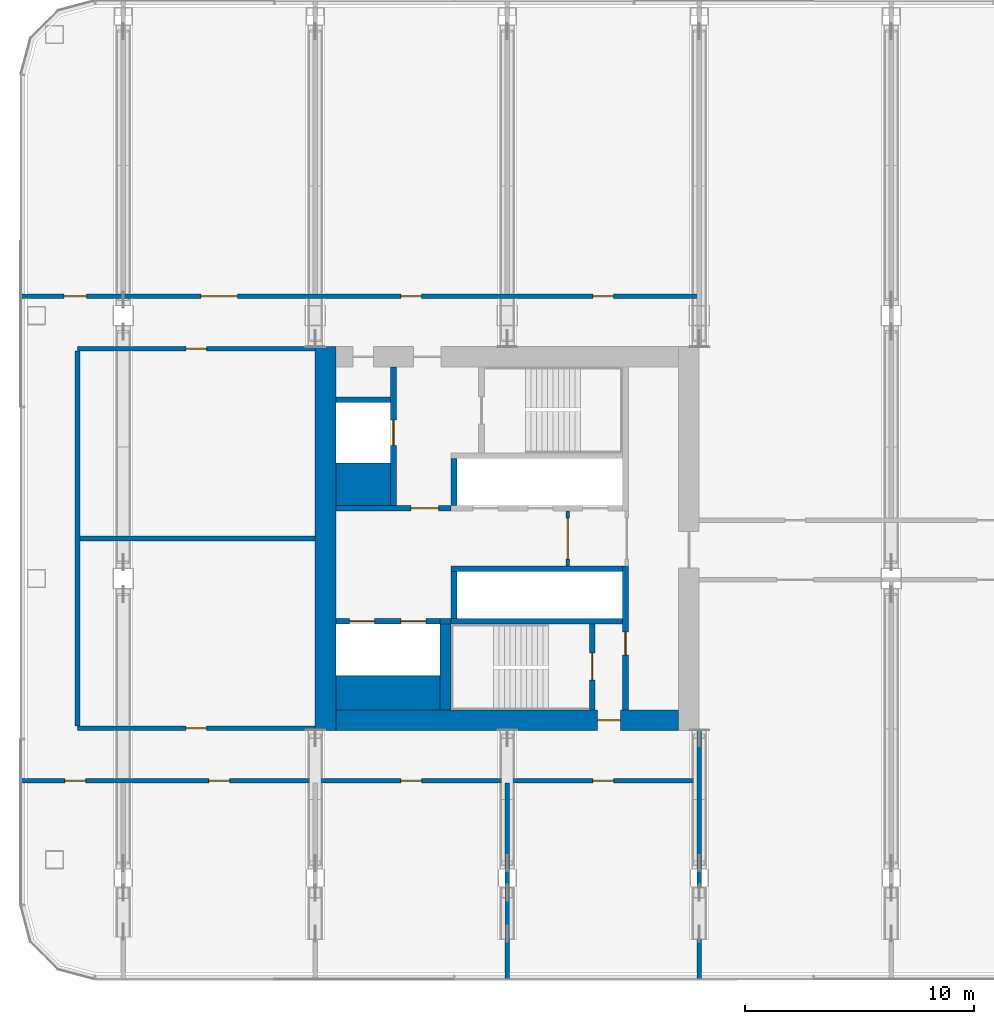
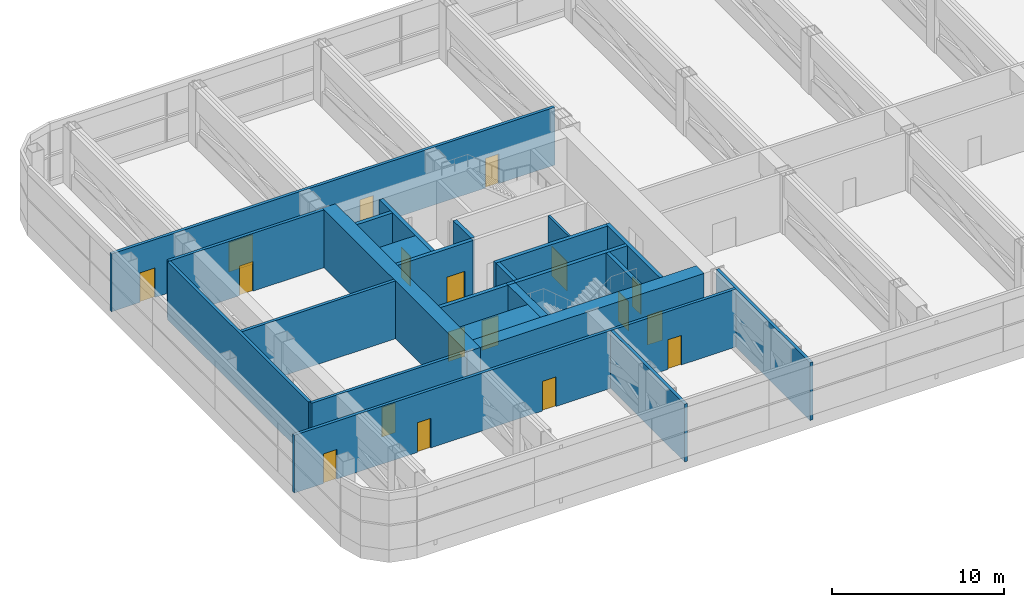
# One storey, part 18 of 31: 25 walls, 18 doors, 18 openings.
"""IFC4 building model written with IfcOpenShell, lengths in metres."""

from ifc_helpers import new_model, si_unit, direction, frame, frame_2d, origin, place, context, subcontext, project, spatial, rectangle, extrude, material, layer, layer_set, type_object, element, fill, save


model = new_model("IFC4")

# Units and contexts
model_context = context("Model", 3, precision=1e-05, world=origin(), true_north=direction((0.0, 1.0)))
body_context = subcontext(model_context, "Body", "Model", "MODEL_VIEW")
ifc_project = project(units=[si_unit("LENGTHUNIT", "METRE"), si_unit("AREAUNIT", "SQUARE_METRE"), si_unit("VOLUMEUNIT", "CUBIC_METRE"), si_unit("PLANEANGLEUNIT", "RADIAN"), si_unit("MASSUNIT", "GRAM", prefix="KILO")], contexts=[model_context])

# Site, building, storey
site_placement = place(None, origin())
site = spatial("IfcSite", under=ifc_project, at=site_placement, CompositionType="ELEMENT")
building_placement = place(site_placement, origin())
building = spatial("IfcBuilding", under=site, at=building_placement, Name="Hakoniwa Tower and Hamabe Station Hall", CompositionType="ELEMENT")
storey_placement = place(building_placement, frame((0.0, 0.0, 120.199951171875)))
storey = spatial("IfcBuildingStorey", under=building, at=storey_placement, Name="L34", CompositionType="ELEMENT", Elevation=120.199951171875)

# Wall, opening, door
ifc_material_1 = material(Name="Gypsum board partition")
ifc_layer_1 = layer(ifc_material_1, 0.14990234375)
ifc_layer_set_1 = layer_set([ifc_layer_1], Name="CORE PARTITION 150 EI 60")
wall_type_1 = type_object("IfcWallType", Name="CORE PARTITION 150 EI 60", PredefinedType="PARTITIONING", material=ifc_layer_set_1)
wall_1_placement = place(storey_placement, frame((-22.550048828125, -1.199951171875, 0.0), z_axis=(0.0, 0.0, 1.0), x_axis=(0.0, 1.0, 0.0)))
wall_1 = element("IfcWall", 1, at=wall_1_placement, inside=storey, type_object=wall_type_1, Name="Core partition PL1 west", PredefinedType="PARTITIONING", context=body_context, shape_type="SweptSolid", body=[
    extrude(rectangle(XDim=2.39990234375, YDim=0.14990234375, at=frame_2d((1.199951171875, 0.0))), origin(), (0.0, 0.0, 1.0), 4.10009765625),
])
opening_1_placement = place(wall_1_placement, frame((0.300048828125, 0.0, 0.0)))
opening_1 = element("IfcOpeningElement", 2, at=opening_1_placement, cuts=wall_1, Name="Opening CD-W-LP1-18", PredefinedType="OPENING", context=body_context, shape_type="SweptSolid", body=[
    extrude(rectangle(XDim=1.800048828125, YDim=2.10009765625, at=frame_2d((0.89990234375, 1.050048828125))), frame((0.0, 0.0849609375, 0.0), z_axis=(0.0, -1.0, 0.0), x_axis=(1.0, 0.0, 0.0)), (0.0, 0.0, 1.0), 0.169921875),
])
ifc_material_2 = material(Name="Steel fire door", Category="steel")
door_type_1 = type_object("IfcDoorType", Name="CORE DOOR 1800 FD60", OperationType="DOUBLE_DOOR_SINGLE_SWING", PredefinedType="DOOR", material=ifc_material_2)
door_1_placement = place(opening_1_placement, origin())
door_1 = element("IfcDoor", 3, at=door_1_placement, inside=storey, type_object=door_type_1, Name="Lift lobby partition door", OperationType="DOUBLE_DOOR_SINGLE_SWING", OverallHeight=2.10009765625, OverallWidth=1.800048828125, PredefinedType="DOOR", context=body_context, shape_type="SweptSolid", body=[
    extrude(rectangle(XDim=1.800048828125, YDim=2.10009765625, at=frame_2d((0.89990234375, 1.050048828125))), frame((0.0, 0.02490234375, 0.0), z_axis=(0.0, -1.0, 0.0), x_axis=(1.0, 0.0, 0.0)), (0.0, 0.0, 1.0), 0.050048828125),
])
fill(opening_1, door_1)

# Wall
ifc_material_3 = material(Name="Concrete C72", Category="concrete")
ifc_layer_2 = layer(ifc_material_3, 0.89990234375)
ifc_layer_set_2 = layer_set([ifc_layer_2], Name="CORE WALL 900 C72")
wall_type_2 = type_object("IfcWallType", Name="CORE WALL 900 C72", PredefinedType="SHEAR", material=ifc_layer_set_2)
wall_2_placement = place(storey_placement, frame((-33.14990234375, -8.39990234375, 0.0), z_axis=(0.0, 0.0, 1.0), x_axis=(0.0, 1.0, 0.0)))
element("IfcWall", 4, at=wall_2_placement, inside=storey, type_object=wall_type_2, Name="Core wall OUTER west", PredefinedType="SHEAR", context=body_context, shape_type="SweptSolid", body=[
    extrude(rectangle(XDim=16.7998046875, YDim=0.89990234375, at=frame_2d((8.39990234375, 0.0))), origin(), (0.0, 0.0, 1.0), 4.10009765625),
])

# Wall, opening, door
wall_3_placement = place(storey_placement, frame((-32.699951171875, -7.949951171875, 0.0), z_axis=(0.0, 0.0, 1.0), x_axis=(1.0, 0.0, 0.0)))
wall_3 = element("IfcWall", 5, at=wall_3_placement, inside=storey, type_object=wall_type_2, Name="Core wall SOUTH west", PredefinedType="SHEAR", context=body_context, shape_type="SweptSolid", body=[
    extrude(rectangle(XDim=15.0, YDim=0.89990234375, at=frame_2d((7.5, 0.0))), origin(), (0.0, 0.0, 1.0), 4.10009765625),
])
opening_2_placement = place(wall_3_placement, frame((11.449951171875, 0.0, 0.0)))
opening_2 = element("IfcOpeningElement", 6, at=opening_2_placement, cuts=wall_3, Name="Opening CD-W-FS3-10", PredefinedType="OPENING", context=body_context, shape_type="SweptSolid", body=[
    extrude(rectangle(XDim=1.0, YDim=2.10009765625, at=frame_2d((0.5, 1.050048828125))), frame((0.0, 0.4599609375, 0.0), z_axis=(0.0, -1.0, 0.0), x_axis=(1.0, 0.0, 0.0)), (0.0, 0.0, 1.0), 0.919921875),
])
ifc_material_4 = material(Name="Steel fire door", Category="steel")
door_type_2 = type_object("IfcDoorType", Name="CORE DOOR 1000 FD60", OperationType="NOTDEFINED", PredefinedType="DOOR", material=ifc_material_4)
door_2_placement = place(opening_2_placement, origin())
door_2 = element("IfcDoor", 7, at=door_2_placement, inside=storey, type_object=door_type_2, Name="Stair vestibule door", OperationType="SINGLE_SWING_LEFT", OverallHeight=2.10009765625, OverallWidth=1.0, PredefinedType="DOOR", context=body_context, shape_type="SweptSolid", body=[
    extrude(rectangle(XDim=1.0, YDim=2.10009765625, at=frame_2d((0.5, 1.050048828125))), frame((0.0, 0.02490234375, 0.0), z_axis=(0.0, -1.0, 0.0), x_axis=(1.0, 0.0, 0.0)), (0.0, 0.0, 1.0), 0.050048828125),
])
fill(opening_2, door_2)

# Walls
ifc_material_5 = material(Name="Concrete C72", Category="concrete")
ifc_layer_3 = layer(ifc_material_5, 1.5)
ifc_layer_set_3 = layer_set([ifc_layer_3], Name="CORE WEB WALL 1500 C72")
wall_type_3 = type_object("IfcWallType", Name="CORE WEB WALL 1500 C72", PredefinedType="SHEAR", material=ifc_layer_set_3)
wall_4_placement = place(storey_placement, frame((-32.699951171875, -6.75, 0.0), z_axis=(0.0, 0.0, 1.0), x_axis=(1.0, 0.0, 0.0)))
element("IfcWall", 8, at=wall_4_placement, inside=storey, type_object=wall_type_3, Name="Core wall SER west", PredefinedType="SHEAR", context=body_context, shape_type="SweptSolid", body=[
    extrude(rectangle(XDim=4.550048828125, YDim=1.5, at=frame_2d((2.27490234375, 0.0))), origin(), (0.0, 0.0, 1.0), 4.10009765625),
])
ifc_material_6 = material(Name="Concrete C72", Category="concrete")
ifc_layer_4 = layer(ifc_material_6, 1.85009765625)
ifc_layer_set_4 = layer_set([ifc_layer_4], Name="CORE WEB WALL 1850 C72")
wall_type_4 = type_object("IfcWallType", Name="CORE WEB WALL 1850 C72", PredefinedType="SHEAR", material=ifc_layer_set_4)
wall_5_placement = place(storey_placement, frame((-32.699951171875, 2.375, 0.0), z_axis=(0.0, 0.0, 1.0), x_axis=(1.0, 0.0, 0.0)))
element("IfcWall", 9, at=wall_5_placement, inside=storey, type_object=wall_type_4, Name="Core wall CA west", PredefinedType="SHEAR", context=body_context, shape_type="SweptSolid", body=[
    extrude(rectangle(XDim=2.39990234375, YDim=1.85009765625, at=frame_2d((1.199951171875, 0.0))), origin(), (0.0, 0.0, 1.0), 4.10009765625),
])

# Wall, opening, door
ifc_material_7 = material(Name="Concrete C72", Category="concrete")
ifc_layer_5 = layer(ifc_material_7, 0.25)
ifc_layer_set_5 = layer_set([ifc_layer_5], Name="CORE WEB WALL 250 C72")
wall_type_5 = type_object("IfcWallType", Name="CORE WEB WALL 250 C72", PredefinedType="SHEAR", material=ifc_layer_set_5)
wall_6_placement = place(storey_placement, frame((-20.02490234375, -7.5, 0.0), z_axis=(0.0, 0.0, 1.0), x_axis=(0.0, 1.0, 0.0)))
wall_6 = element("IfcWall", 10, at=wall_6_placement, inside=storey, type_object=wall_type_5, Name="Core wall W1S west", PredefinedType="SHEAR", context=body_context, shape_type="SweptSolid", body=[
    extrude(rectangle(XDim=6.300048828125, YDim=0.25, at=frame_2d((3.14990234375, 0.0))), origin(), (0.0, 0.0, 1.0), 4.10009765625),
])
opening_3_placement = place(wall_6_placement, frame((2.39990234375, 0.0, 0.0)))
opening_3 = element("IfcOpeningElement", 11, at=opening_3_placement, cuts=wall_6, Name="Opening CD-W-VS-10", PredefinedType="OPENING", context=body_context, shape_type="SweptSolid", body=[
    extrude(rectangle(XDim=1.0, YDim=2.10009765625, at=frame_2d((0.5, 1.050048828125))), frame((0.0, 0.135009765625, 0.0), z_axis=(0.0, -1.0, 0.0), x_axis=(1.0, 0.0, 0.0)), (0.0, 0.0, 1.0), 0.27001953125),
])
door_3_placement = place(opening_3_placement, origin())
door_3 = element("IfcDoor", 12, at=door_3_placement, inside=storey, type_object=door_type_2, Name="Stair vestibule door", OperationType="SINGLE_SWING_LEFT", OverallHeight=2.10009765625, OverallWidth=1.0, PredefinedType="DOOR", context=body_context, shape_type="SweptSolid", body=[
    extrude(rectangle(XDim=1.0, YDim=2.10009765625, at=frame_2d((0.5, 1.050048828125))), frame((0.0, 0.02490234375, 0.0), z_axis=(0.0, -1.0, 0.0), x_axis=(1.0, 0.0, 0.0)), (0.0, 0.0, 1.0), 0.050048828125),
])
fill(opening_3, door_3)

# Wall
wall_7_placement = place(storey_placement, frame((-27.52490234375, 1.449951171875, 0.0), z_axis=(0.0, 0.0, 1.0), x_axis=(0.0, 1.0, 0.0)))
element("IfcWall", 13, at=wall_7_placement, inside=storey, type_object=wall_type_5, Name="Core wall NE west", PredefinedType="SHEAR", context=body_context, shape_type="SweptSolid", body=[
    extrude(rectangle(XDim=2.050048828125, YDim=0.25, at=frame_2d((1.02490234375, 0.0))), origin(), (0.0, 0.0, 1.0), 4.10009765625),
])

# Wall, opening, door
wall_8_placement = place(storey_placement, frame((-32.699951171875, 1.324951171875, 0.0), z_axis=(0.0, 0.0, 1.0), x_axis=(1.0, 0.0, 0.0)))
wall_8 = element("IfcWall", 14, at=wall_8_placement, inside=storey, type_object=wall_type_5, Name="Core wall ELN west", PredefinedType="SHEAR", context=body_context, shape_type="SweptSolid", body=[
    extrude(rectangle(XDim=5.050048828125, YDim=0.25, at=frame_2d((2.52490234375, 0.0))), origin(), (0.0, 0.0, 1.0), 4.10009765625),
])
opening_4_placement = place(wall_8_placement, frame((3.300048828125, 0.0, 0.0)))
opening_4 = element("IfcOpeningElement", 15, at=opening_4_placement, cuts=wall_8, Name="Opening CD-W-FL-12", PredefinedType="OPENING", context=body_context, shape_type="SweptSolid", body=[
    extrude(rectangle(XDim=1.199951171875, YDim=2.10009765625, at=frame_2d((0.60009765625, 1.050048828125))), frame((0.0, 0.135009765625, 0.0), z_axis=(0.0, -1.0, 0.0), x_axis=(1.0, 0.0, 0.0)), (0.0, 0.0, 1.0), 0.27001953125),
])
ifc_material_8 = material(Name="Steel fire door", Category="steel")
door_type_3 = type_object("IfcDoorType", Name="CORE DOOR 1200 FD60", OperationType="DOUBLE_DOOR_SINGLE_SWING", PredefinedType="DOOR", material=ifc_material_8)
door_4_placement = place(opening_4_placement, origin())
door_4 = element("IfcDoor", 16, at=door_4_placement, inside=storey, type_object=door_type_3, Name="Stair vestibule door to the fire-fighting lobby", OperationType="DOUBLE_DOOR_SINGLE_SWING", OverallHeight=2.10009765625, OverallWidth=1.199951171875, PredefinedType="DOOR", context=body_context, shape_type="SweptSolid", body=[
    extrude(rectangle(XDim=1.199951171875, YDim=2.10009765625, at=frame_2d((0.60009765625, 1.050048828125))), frame((0.0, 0.02490234375, 0.0), z_axis=(0.0, -1.0, 0.0), x_axis=(1.0, 0.0, 0.0)), (0.0, 0.0, 1.0), 0.050048828125),
])
fill(opening_4, door_4)

wall_9_placement = place(storey_placement, frame((-30.175048828125, 1.449951171875, 0.0), z_axis=(0.0, 0.0, 1.0), x_axis=(0.0, 1.0, 0.0)))
wall_9 = element("IfcWall", 17, at=wall_9_placement, inside=storey, type_object=wall_type_5, Name="Core wall FFF west", PredefinedType="SHEAR", context=body_context, shape_type="SweptSolid", body=[
    extrude(rectangle(XDim=6.050048828125, YDim=0.25, at=frame_2d((3.02490234375, 0.0))), origin(), (0.0, 0.0, 1.0), 4.10009765625),
])
opening_5_placement = place(wall_9_placement, frame((2.625, 0.0, 0.0)))
opening_5 = element("IfcOpeningElement", 18, at=opening_5_placement, cuts=wall_9, Name="Opening LD-FF1", PredefinedType="OPENING", context=body_context, shape_type="SweptSolid", body=[
    extrude(rectangle(XDim=1.10009765625, YDim=2.10009765625, at=frame_2d((0.550048828125, 1.050048828125))), frame((0.0, 0.135009765625, 0.0), z_axis=(0.0, -1.0, 0.0), x_axis=(1.0, 0.0, 0.0)), (0.0, 0.0, 1.0), 0.27001953125),
])
ifc_material_9 = material(Name="Stainless steel SUS304", Category="steel")
door_type_4 = type_object("IfcDoorType", Name="LIFT LANDING DOOR 1100 FD60", OperationType="DOUBLE_DOOR_SLIDING", PredefinedType="DOOR", material=ifc_material_9)
door_5_placement = place(opening_5_placement, origin())
door_5 = element("IfcDoor", 19, at=door_5_placement, inside=storey, type_object=door_type_4, Name="Lift landing door FF1 L34", OperationType="DOUBLE_DOOR_SLIDING", OverallHeight=2.10009765625, OverallWidth=1.10009765625, PredefinedType="DOOR", context=body_context, shape_type="SweptSolid", body=[
    extrude(rectangle(XDim=1.10009765625, YDim=2.10009765625, at=frame_2d((0.550048828125, 1.050048828125))), frame((0.0, 0.02490234375, 0.0), z_axis=(0.0, -1.0, 0.0), x_axis=(1.0, 0.0, 0.0)), (0.0, 0.0, 1.0), 0.050048828125),
])
fill(opening_5, door_5)

# Walls
wall_10_placement = place(storey_placement, frame((-32.699951171875, 6.074951171875, 0.0), z_axis=(0.0, 0.0, 1.0), x_axis=(1.0, 0.0, 0.0)))
element("IfcWall", 20, at=wall_10_placement, inside=storey, type_object=wall_type_5, Name="Core wall C2 west", PredefinedType="SHEAR", context=body_context, shape_type="SweptSolid", body=[
    extrude(rectangle(XDim=2.39990234375, YDim=0.25, at=frame_2d((1.199951171875, 0.0))), origin(), (0.0, 0.0, 1.0), 4.10009765625),
])
wall_11_placement = place(storey_placement, frame((-27.64990234375, -1.324951171875, 0.0), z_axis=(0.0, 0.0, 1.0), x_axis=(1.0, 0.0, 0.0)))
element("IfcWall", 21, at=wall_11_placement, inside=storey, type_object=wall_type_5, Name="Core wall SF west", PredefinedType="SHEAR", context=body_context, shape_type="SweptSolid", body=[
    extrude(rectangle(XDim=7.5, YDim=0.25, at=frame_2d((3.75, 0.0))), origin(), (0.0, 0.0, 1.0), 4.10009765625),
])
wall_12_placement = place(storey_placement, frame((-27.52490234375, -3.5, 0.0), z_axis=(0.0, 0.0, 1.0), x_axis=(0.0, 1.0, 0.0)))
element("IfcWall", 22, at=wall_12_placement, inside=storey, type_object=wall_type_5, Name="Core wall SE west", PredefinedType="SHEAR", context=body_context, shape_type="SweptSolid", body=[
    extrude(rectangle(XDim=2.050048828125, YDim=0.25, at=frame_2d((1.02490234375, 0.0))), origin(), (0.0, 0.0, 1.0), 4.10009765625),
])
wall_13_placement = place(storey_placement, frame((-27.64990234375, -3.625, 0.0), z_axis=(0.0, 0.0, 1.0), x_axis=(1.0, 0.0, 0.0)))
element("IfcWall", 23, at=wall_13_placement, inside=storey, type_object=wall_type_5, Name="Core wall SR west", PredefinedType="SHEAR", context=body_context, shape_type="SweptSolid", body=[
    extrude(rectangle(XDim=7.5, YDim=0.25, at=frame_2d((3.75, 0.0))), origin(), (0.0, 0.0, 1.0), 4.10009765625),
])

# Wall, opening, door
wall_14_placement = place(storey_placement, frame((-21.47509765625, -7.5, 0.0), z_axis=(0.0, 0.0, 1.0), x_axis=(0.0, 1.0, 0.0)))
wall_14 = element("IfcWall", 24, at=wall_14_placement, inside=storey, type_object=wall_type_5, Name="Core wall VE west", PredefinedType="SHEAR", context=body_context, shape_type="SweptSolid", body=[
    extrude(rectangle(XDim=3.75, YDim=0.25, at=frame_2d((1.875, 0.0))), origin(), (0.0, 0.0, 1.0), 4.10009765625),
])
opening_6_placement = place(wall_14_placement, frame((1.300048828125, 0.0, 0.0)))
opening_6 = element("IfcOpeningElement", 25, at=opening_6_placement, cuts=wall_14, Name="Opening CD-W-SS-12", PredefinedType="OPENING", context=body_context, shape_type="SweptSolid", body=[
    extrude(rectangle(XDim=1.199951171875, YDim=2.10009765625, at=frame_2d((0.60009765625, 1.050048828125))), frame((0.0, 0.135009765625, 0.0), z_axis=(0.0, -1.0, 0.0), x_axis=(1.0, 0.0, 0.0)), (0.0, 0.0, 1.0), 0.27001953125),
])
door_6_placement = place(opening_6_placement, origin())
door_6 = element("IfcDoor", 26, at=door_6_placement, inside=storey, type_object=door_type_3, Name="Escape stair door", OperationType="DOUBLE_DOOR_SINGLE_SWING", OverallHeight=2.10009765625, OverallWidth=1.199951171875, PredefinedType="DOOR", context=body_context, shape_type="SweptSolid", body=[
    extrude(rectangle(XDim=1.199951171875, YDim=2.10009765625, at=frame_2d((0.60009765625, 1.050048828125))), frame((0.0, 0.02490234375, 0.0), z_axis=(0.0, -1.0, 0.0), x_axis=(1.0, 0.0, 0.0)), (0.0, 0.0, 1.0), 0.050048828125),
])
fill(opening_6, door_6)

# Wall, openings, doors
wall_15_placement = place(storey_placement, frame((-32.699951171875, -3.625, 0.0), z_axis=(0.0, 0.0, 1.0), x_axis=(1.0, 0.0, 0.0)))
wall_15 = element("IfcWall", 27, at=wall_15_placement, inside=storey, type_object=wall_type_5, Name="Core wall SEF west", PredefinedType="SHEAR", context=body_context, shape_type="SweptSolid", body=[
    extrude(rectangle(XDim=4.550048828125, YDim=0.25, at=frame_2d((2.27490234375, 0.0))), origin(), (0.0, 0.0, 1.0), 4.10009765625),
])
opening_7_placement = place(wall_15_placement, frame((2.85009765625, 0.0, 0.0)))
opening_7 = element("IfcOpeningElement", 28, at=opening_7_placement, cuts=wall_15, Name="Opening LD-SV1", PredefinedType="OPENING", context=body_context, shape_type="SweptSolid", body=[
    extrude(rectangle(XDim=1.10009765625, YDim=2.10009765625, at=frame_2d((0.550048828125, 1.050048828125))), frame((0.0, 0.135009765625, 0.0), z_axis=(0.0, -1.0, 0.0), x_axis=(1.0, 0.0, 0.0)), (0.0, 0.0, 1.0), 0.27001953125),
])
opening_8_placement = place(wall_15_placement, frame((0.60009765625, 0.0, 0.0)))
opening_8 = element("IfcOpeningElement", 29, at=opening_8_placement, cuts=wall_15, Name="Opening LD-SV2", PredefinedType="OPENING", context=body_context, shape_type="SweptSolid", body=[
    extrude(rectangle(XDim=1.10009765625, YDim=2.10009765625, at=frame_2d((0.550048828125, 1.050048828125))), frame((0.0, 0.135009765625, 0.0), z_axis=(0.0, -1.0, 0.0), x_axis=(1.0, 0.0, 0.0)), (0.0, 0.0, 1.0), 0.27001953125),
])
door_7_placement = place(opening_7_placement, origin())
door_7 = element("IfcDoor", 30, at=door_7_placement, inside=storey, type_object=door_type_4, Name="Lift landing door SV1 L34", OperationType="DOUBLE_DOOR_SLIDING", OverallHeight=2.10009765625, OverallWidth=1.10009765625, PredefinedType="DOOR", context=body_context, shape_type="SweptSolid", body=[
    extrude(rectangle(XDim=1.10009765625, YDim=2.10009765625, at=frame_2d((0.550048828125, 1.050048828125))), frame((0.0, 0.02490234375, 0.0), z_axis=(0.0, -1.0, 0.0), x_axis=(1.0, 0.0, 0.0)), (0.0, 0.0, 1.0), 0.050048828125),
])
fill(opening_7, door_7)
door_8_placement = place(opening_8_placement, origin())
door_8 = element("IfcDoor", 31, at=door_8_placement, inside=storey, type_object=door_type_4, Name="Lift landing door SV2 L34", OperationType="DOUBLE_DOOR_SLIDING", OverallHeight=2.10009765625, OverallWidth=1.10009765625, PredefinedType="DOOR", context=body_context, shape_type="SweptSolid", body=[
    extrude(rectangle(XDim=1.10009765625, YDim=2.10009765625, at=frame_2d((0.550048828125, 1.050048828125))), frame((0.0, 0.02490234375, 0.0), z_axis=(0.0, -1.0, 0.0), x_axis=(1.0, 0.0, 0.0)), (0.0, 0.0, 1.0), 0.050048828125),
])
fill(opening_8, door_8)

# Walls
wall_16_placement = place(storey_placement, frame((-28.14990234375, -3.625, 0.0), z_axis=(0.0, 0.0, 1.0), x_axis=(1.0, 0.0, 0.0)))
element("IfcWall", 32, at=wall_16_placement, inside=storey, type_object=wall_type_5, Name="Core wall SRK west", PredefinedType="SHEAR", context=body_context, shape_type="SweptSolid", body=[
    extrude(rectangle(XDim=0.5, YDim=0.25, at=frame_2d((0.25, 0.0))), origin(), (0.0, 0.0, 1.0), 4.10009765625),
])
ifc_material_10 = material(Name="Concrete C72", Category="concrete")
ifc_layer_6 = layer(ifc_material_10, 0.5)
ifc_layer_set_6 = layer_set([ifc_layer_6], Name="CORE WEB WALL 500 C72")
wall_type_6 = type_object("IfcWallType", Name="CORE WEB WALL 500 C72", PredefinedType="SHEAR", material=ifc_layer_set_6)
wall_17_placement = place(storey_placement, frame((-27.89990234375, -7.5, 0.0), z_axis=(0.0, 0.0, 1.0), x_axis=(0.0, 1.0, 0.0)))
element("IfcWall", 33, at=wall_17_placement, inside=storey, type_object=wall_type_6, Name="Core wall SSE west", PredefinedType="SHEAR", context=body_context, shape_type="SweptSolid", body=[
    extrude(rectangle(XDim=3.75, YDim=0.5, at=frame_2d((1.875, 0.0))), origin(), (0.0, 0.0, 1.0), 4.10009765625),
])

# Wall, openings, doors
ifc_material_11 = material(Name="Fire-rated gypsum board partition", Category="gypsum")
ifc_layer_7 = layer(ifc_material_11, 0.199951171875)
ifc_layer_set_7 = layer_set([ifc_layer_7], Name="Corridor Wall 200")
wall_type_7 = type_object("IfcWallType", Name="Corridor Wall 200", PredefinedType="PARTITIONING", material=ifc_layer_set_7)
wall_18_placement = place(storey_placement, frame((-46.5, -10.60009765625, 0.0), z_axis=(0.0, 0.0, 1.0), x_axis=(1.0, 0.0, 0.0)))
wall_18 = element("IfcWall", 34, at=wall_18_placement, inside=storey, type_object=wall_type_7, Name="GW-L34-001", PredefinedType="PARTITIONING", context=body_context, shape_type="SweptSolid", body=[
    extrude(rectangle(XDim=29.699951171875, YDim=0.199951171875, at=frame_2d((14.85009765625, 0.0))), origin(), (0.0, 0.0, 1.0), 4.10009765625),
])
opening_9_placement = place(wall_18_placement, frame((1.949951171875, 0.0, 0.0)))
opening_9 = element("IfcOpeningElement", 35, at=opening_9_placement, cuts=wall_18, Name="Opening GD-SL34-01", PredefinedType="OPENING", context=body_context, shape_type="SweptSolid", body=[
    extrude(rectangle(XDim=0.89990234375, YDim=2.10009765625, at=frame_2d((0.449951171875, 1.050048828125))), frame((0.0, 0.10986328125, 0.0), z_axis=(0.0, -1.0, 0.0), x_axis=(1.0, 0.0, 0.0)), (0.0, 0.0, 1.0), 0.219970703125),
])
opening_10_placement = place(wall_18_placement, frame((8.25, 0.0, 0.0)))
opening_10 = element("IfcOpeningElement", 36, at=opening_10_placement, cuts=wall_18, Name="Opening GD-SL34-02", PredefinedType="OPENING", context=body_context, shape_type="SweptSolid", body=[
    extrude(rectangle(XDim=0.89990234375, YDim=2.10009765625, at=frame_2d((0.449951171875, 1.050048828125))), frame((0.0, 0.10986328125, 0.0), z_axis=(0.0, -1.0, 0.0), x_axis=(1.0, 0.0, 0.0)), (0.0, 0.0, 1.0), 0.219970703125),
])
opening_11_placement = place(wall_18_placement, frame((16.64990234375, 0.0, 0.0)))
opening_11 = element("IfcOpeningElement", 37, at=opening_11_placement, cuts=wall_18, Name="Opening GD-SL34-03", PredefinedType="OPENING", context=body_context, shape_type="SweptSolid", body=[
    extrude(rectangle(XDim=0.89990234375, YDim=2.10009765625, at=frame_2d((0.449951171875, 1.050048828125))), frame((0.0, 0.10986328125, 0.0), z_axis=(0.0, -1.0, 0.0), x_axis=(1.0, 0.0, 0.0)), (0.0, 0.0, 1.0), 0.219970703125),
])
opening_12_placement = place(wall_18_placement, frame((25.050048828125, 0.0, 0.0)))
opening_12 = element("IfcOpeningElement", 38, at=opening_12_placement, cuts=wall_18, Name="Opening GD-SL34-04", PredefinedType="OPENING", context=body_context, shape_type="SweptSolid", body=[
    extrude(rectangle(XDim=0.89990234375, YDim=2.10009765625, at=frame_2d((0.449951171875, 1.050048828125))), frame((0.0, 0.10986328125, 0.0), z_axis=(0.0, -1.0, 0.0), x_axis=(1.0, 0.0, 0.0)), (0.0, 0.0, 1.0), 0.219970703125),
])
ifc_material_12 = material(Name="Timber door leaf", Category="wood")
door_type_5 = type_object("IfcDoorType", Name="Service Door 900", OperationType="SINGLE_SWING_LEFT", PredefinedType="DOOR", material=ifc_material_12)
door_9_placement = place(opening_9_placement, origin())
door_9 = element("IfcDoor", 39, at=door_9_placement, inside=storey, type_object=door_type_5, Name="Door GD-SL34-01", OperationType="SINGLE_SWING_RIGHT", OverallHeight=2.10009765625, OverallWidth=0.89990234375, PredefinedType="DOOR", context=body_context, shape_type="SweptSolid", body=[
    extrude(rectangle(XDim=0.89990234375, YDim=2.10009765625, at=frame_2d((0.449951171875, 1.050048828125))), frame((0.0, 0.02490234375, 0.0), z_axis=(0.0, -1.0, 0.0), x_axis=(1.0, 0.0, 0.0)), (0.0, 0.0, 1.0), 0.050048828125),
])
fill(opening_9, door_9)
door_10_placement = place(opening_10_placement, origin())
door_10 = element("IfcDoor", 40, at=door_10_placement, inside=storey, type_object=door_type_5, Name="Door GD-SL34-02", OperationType="SINGLE_SWING_RIGHT", OverallHeight=2.10009765625, OverallWidth=0.89990234375, PredefinedType="DOOR", context=body_context, shape_type="SweptSolid", body=[
    extrude(rectangle(XDim=0.89990234375, YDim=2.10009765625, at=frame_2d((0.449951171875, 1.050048828125))), frame((0.0, 0.02490234375, 0.0), z_axis=(0.0, -1.0, 0.0), x_axis=(1.0, 0.0, 0.0)), (0.0, 0.0, 1.0), 0.050048828125),
])
fill(opening_10, door_10)
door_11_placement = place(opening_11_placement, origin())
door_11 = element("IfcDoor", 41, at=door_11_placement, inside=storey, type_object=door_type_5, Name="Door GD-SL34-03", OperationType="SINGLE_SWING_LEFT", OverallHeight=2.10009765625, OverallWidth=0.89990234375, PredefinedType="DOOR", context=body_context, shape_type="SweptSolid", body=[
    extrude(rectangle(XDim=0.89990234375, YDim=2.10009765625, at=frame_2d((0.449951171875, 1.050048828125))), frame((0.0, 0.02490234375, 0.0), z_axis=(0.0, -1.0, 0.0), x_axis=(1.0, 0.0, 0.0)), (0.0, 0.0, 1.0), 0.050048828125),
])
fill(opening_11, door_11)
door_12_placement = place(opening_12_placement, origin())
door_12 = element("IfcDoor", 42, at=door_12_placement, inside=storey, type_object=door_type_5, Name="Door GD-SL34-04", OperationType="SINGLE_SWING_RIGHT", OverallHeight=2.10009765625, OverallWidth=0.89990234375, PredefinedType="DOOR", context=body_context, shape_type="SweptSolid", body=[
    extrude(rectangle(XDim=0.89990234375, YDim=2.10009765625, at=frame_2d((0.449951171875, 1.050048828125))), frame((0.0, 0.02490234375, 0.0), z_axis=(0.0, -1.0, 0.0), x_axis=(1.0, 0.0, 0.0)), (0.0, 0.0, 1.0), 0.050048828125),
])
fill(opening_12, door_12)

# Wall, opening, door
wall_19_placement = place(storey_placement, frame((-44.0, -8.300048828125, 0.0), z_axis=(0.0, 0.0, 1.0), x_axis=(1.0, 0.0, 0.0)))
wall_19 = element("IfcWall", 43, at=wall_19_placement, inside=storey, type_object=wall_type_7, Name="GW-L34-003", PredefinedType="PARTITIONING", context=body_context, shape_type="SweptSolid", body=[
    extrude(rectangle(XDim=10.39990234375, YDim=0.199951171875, at=frame_2d((5.199951171875, 0.0))), origin(), (0.0, 0.0, 1.0), 4.10009765625),
])
opening_13_placement = place(wall_19_placement, frame((4.75, 0.0, 0.0)))
opening_13 = element("IfcOpeningElement", 44, at=opening_13_placement, cuts=wall_19, Name="Opening GD-SL34-09", PredefinedType="OPENING", context=body_context, shape_type="SweptSolid", body=[
    extrude(rectangle(XDim=0.89990234375, YDim=2.10009765625, at=frame_2d((0.449951171875, 1.050048828125))), frame((0.0, 0.10986328125, 0.0), z_axis=(0.0, -1.0, 0.0), x_axis=(1.0, 0.0, 0.0)), (0.0, 0.0, 1.0), 0.219970703125),
])
door_13_placement = place(opening_13_placement, origin())
door_13 = element("IfcDoor", 45, at=door_13_placement, inside=storey, type_object=door_type_5, Name="Door GD-SL34-09", OperationType="SINGLE_SWING_RIGHT", OverallHeight=2.10009765625, OverallWidth=0.89990234375, PredefinedType="DOOR", context=body_context, shape_type="SweptSolid", body=[
    extrude(rectangle(XDim=0.89990234375, YDim=2.10009765625, at=frame_2d((0.449951171875, 1.050048828125))), frame((0.0, 0.02490234375, 0.0), z_axis=(0.0, -1.0, 0.0), x_axis=(1.0, 0.0, 0.0)), (0.0, 0.0, 1.0), 0.050048828125),
])
fill(opening_13, door_13)

wall_20_placement = place(storey_placement, frame((-44.0, 8.300048828125, 0.0), z_axis=(0.0, 0.0, 1.0), x_axis=(1.0, 0.0, 0.0)))
wall_20 = element("IfcWall", 46, at=wall_20_placement, inside=storey, type_object=wall_type_7, Name="GW-L34-009", PredefinedType="PARTITIONING", context=body_context, shape_type="SweptSolid", body=[
    extrude(rectangle(XDim=10.39990234375, YDim=0.199951171875, at=frame_2d((5.199951171875, 0.0))), origin(), (0.0, 0.0, 1.0), 4.10009765625),
])
opening_14_placement = place(wall_20_placement, frame((4.75, 0.0, 0.0)))
opening_14 = element("IfcOpeningElement", 47, at=opening_14_placement, cuts=wall_20, Name="Opening GD-SL34-19", PredefinedType="OPENING", context=body_context, shape_type="SweptSolid", body=[
    extrude(rectangle(XDim=0.89990234375, YDim=2.10009765625, at=frame_2d((0.449951171875, 1.050048828125))), frame((0.0, 0.10986328125, 0.0), z_axis=(0.0, -1.0, 0.0), x_axis=(1.0, 0.0, 0.0)), (0.0, 0.0, 1.0), 0.219970703125),
])
door_14_placement = place(opening_14_placement, origin())
door_14 = element("IfcDoor", 48, at=door_14_placement, inside=storey, type_object=door_type_5, Name="Door GD-SL34-19", OperationType="SINGLE_SWING_RIGHT", OverallHeight=2.10009765625, OverallWidth=0.89990234375, PredefinedType="DOOR", context=body_context, shape_type="SweptSolid", body=[
    extrude(rectangle(XDim=0.89990234375, YDim=2.10009765625, at=frame_2d((0.449951171875, 1.050048828125))), frame((0.0, 0.02490234375, 0.0), z_axis=(0.0, -1.0, 0.0), x_axis=(1.0, 0.0, 0.0)), (0.0, 0.0, 1.0), 0.050048828125),
])
fill(opening_14, door_14)

# Wall, openings, doors
wall_21_placement = place(storey_placement, frame((-46.5, 10.60009765625, 0.0), z_axis=(0.0, 0.0, 1.0), x_axis=(1.0, 0.0, 0.0)))
wall_21 = element("IfcWall", 49, at=wall_21_placement, inside=storey, type_object=wall_type_7, Name="GW-L34-011", PredefinedType="PARTITIONING", context=body_context, shape_type="SweptSolid", body=[
    extrude(rectangle(XDim=29.699951171875, YDim=0.199951171875, at=frame_2d((14.85009765625, 0.0))), origin(), (0.0, 0.0, 1.0), 4.10009765625),
])
opening_15_placement = place(wall_21_placement, frame((1.89990234375, 0.0, 0.0)))
opening_15 = element("IfcOpeningElement", 50, at=opening_15_placement, cuts=wall_21, Name="Opening GD-SL34-22", PredefinedType="OPENING", context=body_context, shape_type="SweptSolid", body=[
    extrude(rectangle(XDim=1.0, YDim=2.10009765625, at=frame_2d((0.5, 1.050048828125))), frame((0.0, 0.10986328125, 0.0), z_axis=(0.0, -1.0, 0.0), x_axis=(1.0, 0.0, 0.0)), (0.0, 0.0, 1.0), 0.219970703125),
])
opening_16_placement = place(wall_21_placement, frame((7.89990234375, 0.0, 0.0)))
opening_16 = element("IfcOpeningElement", 51, at=opening_16_placement, cuts=wall_21, Name="Opening GD-SL34-23", PredefinedType="OPENING", context=body_context, shape_type="SweptSolid", body=[
    extrude(rectangle(XDim=1.60009765625, YDim=2.10009765625, at=frame_2d((0.800048828125, 1.050048828125))), frame((0.0, 0.10986328125, 0.0), z_axis=(0.0, -1.0, 0.0), x_axis=(1.0, 0.0, 0.0)), (0.0, 0.0, 1.0), 0.219970703125),
])
opening_17_placement = place(wall_21_placement, frame((16.64990234375, 0.0, 0.0)))
opening_17 = element("IfcOpeningElement", 52, at=opening_17_placement, cuts=wall_21, Name="Opening GD-SL34-24", PredefinedType="OPENING", context=body_context, shape_type="SweptSolid", body=[
    extrude(rectangle(XDim=0.89990234375, YDim=2.10009765625, at=frame_2d((0.449951171875, 1.050048828125))), frame((0.0, 0.10986328125, 0.0), z_axis=(0.0, -1.0, 0.0), x_axis=(1.0, 0.0, 0.0)), (0.0, 0.0, 1.0), 0.219970703125),
])
opening_18_placement = place(wall_21_placement, frame((25.050048828125, 0.0, 0.0)))
opening_18 = element("IfcOpeningElement", 53, at=opening_18_placement, cuts=wall_21, Name="Opening GD-SL34-25", PredefinedType="OPENING", context=body_context, shape_type="SweptSolid", body=[
    extrude(rectangle(XDim=0.89990234375, YDim=2.10009765625, at=frame_2d((0.449951171875, 1.050048828125))), frame((0.0, 0.10986328125, 0.0), z_axis=(0.0, -1.0, 0.0), x_axis=(1.0, 0.0, 0.0)), (0.0, 0.0, 1.0), 0.219970703125),
])
ifc_material_13 = material(Name="Timber door leaf", Category="wood")
door_type_6 = type_object("IfcDoorType", Name="Double Door 1600", OperationType="DOUBLE_DOOR_SINGLE_SWING", PredefinedType="DOOR", material=ifc_material_13)
door_15_placement = place(opening_16_placement, origin())
door_15 = element("IfcDoor", 54, at=door_15_placement, inside=storey, type_object=door_type_6, Name="Door GD-SL34-23", OperationType="DOUBLE_DOOR_SINGLE_SWING", OverallHeight=2.10009765625, OverallWidth=1.60009765625, PredefinedType="DOOR", context=body_context, shape_type="SweptSolid", body=[
    extrude(rectangle(XDim=1.60009765625, YDim=2.10009765625, at=frame_2d((0.800048828125, 1.050048828125))), frame((0.0, 0.02490234375, 0.0), z_axis=(0.0, -1.0, 0.0), x_axis=(1.0, 0.0, 0.0)), (0.0, 0.0, 1.0), 0.050048828125),
])
fill(opening_16, door_15)
ifc_material_14 = material(Name="Timber door leaf", Category="wood")
door_type_7 = type_object("IfcDoorType", Name="Guest Entrance Door 1000", OperationType="SINGLE_SWING_LEFT", PredefinedType="DOOR", material=ifc_material_14)
door_16_placement = place(opening_15_placement, origin())
door_16 = element("IfcDoor", 55, at=door_16_placement, inside=storey, type_object=door_type_7, Name="Door GD-SL34-22", OperationType="SINGLE_SWING_LEFT", OverallHeight=2.10009765625, OverallWidth=1.0, PredefinedType="DOOR", context=body_context, shape_type="SweptSolid", body=[
    extrude(rectangle(XDim=1.0, YDim=2.10009765625, at=frame_2d((0.5, 1.050048828125))), frame((0.0, 0.02490234375, 0.0), z_axis=(0.0, -1.0, 0.0), x_axis=(1.0, 0.0, 0.0)), (0.0, 0.0, 1.0), 0.050048828125),
])
fill(opening_15, door_16)
door_17_placement = place(opening_17_placement, origin())
door_17 = element("IfcDoor", 56, at=door_17_placement, inside=storey, type_object=door_type_5, Name="Door GD-SL34-24", OperationType="SINGLE_SWING_LEFT", OverallHeight=2.10009765625, OverallWidth=0.89990234375, PredefinedType="DOOR", context=body_context, shape_type="SweptSolid", body=[
    extrude(rectangle(XDim=0.89990234375, YDim=2.10009765625, at=frame_2d((0.449951171875, 1.050048828125))), frame((0.0, 0.02490234375, 0.0), z_axis=(0.0, -1.0, 0.0), x_axis=(1.0, 0.0, 0.0)), (0.0, 0.0, 1.0), 0.050048828125),
])
fill(opening_17, door_17)
door_18_placement = place(opening_18_placement, origin())
door_18 = element("IfcDoor", 57, at=door_18_placement, inside=storey, type_object=door_type_5, Name="Door GD-SL34-25", OperationType="SINGLE_SWING_RIGHT", OverallHeight=2.10009765625, OverallWidth=0.89990234375, PredefinedType="DOOR", context=body_context, shape_type="SweptSolid", body=[
    extrude(rectangle(XDim=0.89990234375, YDim=2.10009765625, at=frame_2d((0.449951171875, 1.050048828125))), frame((0.0, 0.02490234375, 0.0), z_axis=(0.0, -1.0, 0.0), x_axis=(1.0, 0.0, 0.0)), (0.0, 0.0, 1.0), 0.050048828125),
])
fill(opening_18, door_18)

# Walls
ifc_material_15 = material(Name="Fire-rated gypsum board partition", Category="gypsum")
ifc_layer_8 = layer(ifc_material_15, 0.199951171875)
ifc_layer_set_8 = layer_set([ifc_layer_8], Name="Party Wall 200")
wall_type_8 = type_object("IfcWallType", Name="Party Wall 200", PredefinedType="PARTITIONING", material=ifc_layer_set_8)
wall_22_placement = place(storey_placement, frame((-43.89990234375, 0.0, 0.0), z_axis=(0.0, 0.0, 1.0), x_axis=(1.0, 0.0, 0.0)))
element("IfcWall", 58, at=wall_22_placement, inside=storey, type_object=wall_type_8, Name="GW-L34-006", PredefinedType="PARTITIONING", context=body_context, shape_type="SweptSolid", body=[
    extrude(rectangle(XDim=10.2998046875, YDim=0.199951171875, at=frame_2d((5.14990234375, 0.0))), origin(), (0.0, 0.0, 1.0), 4.10009765625),
])
wall_23_placement = place(storey_placement, frame((-44.0, -8.199951171875, 0.0), z_axis=(0.0, 0.0, 1.0), x_axis=(0.0, 1.0, 0.0)))
element("IfcWall", 59, at=wall_23_placement, inside=storey, type_object=wall_type_8, Name="GW-L34-013", PredefinedType="PARTITIONING", context=body_context, shape_type="SweptSolid", body=[
    extrude(rectangle(XDim=16.39990234375, YDim=0.199951171875, at=frame_2d((8.199951171875, 0.0))), origin(), (0.0, 0.0, 1.0), 4.10009765625),
])
wall_24_placement = place(storey_placement, frame((-25.199951171875, -19.300048828125, 0.0), z_axis=(0.0, 0.0, 1.0), x_axis=(0.0, 1.0, 0.0)))
element("IfcWall", 60, at=wall_24_placement, inside=storey, type_object=wall_type_8, Name="GW-L34-018", PredefinedType="PARTITIONING", context=body_context, shape_type="SweptSolid", body=[
    extrude(rectangle(XDim=8.60009765625, YDim=0.199951171875, at=frame_2d((4.300048828125, 0.0))), origin(), (0.0, 0.0, 1.0), 4.10009765625),
])
wall_25_placement = place(storey_placement, frame((-16.800048828125, -19.300048828125, 0.0), z_axis=(0.0, 0.0, 1.0), x_axis=(0.0, 1.0, 0.0)))
element("IfcWall", 61, at=wall_25_placement, inside=storey, type_object=wall_type_8, Name="GW-L34-020", PredefinedType="PARTITIONING", context=body_context, shape_type="SweptSolid", body=[
    extrude(rectangle(XDim=10.91015625, YDim=0.199951171875, at=frame_2d((5.455078125, 0.0))), origin(), (0.0, 0.0, 1.0), 4.10009765625),
])

save(model, "model.ifc")
